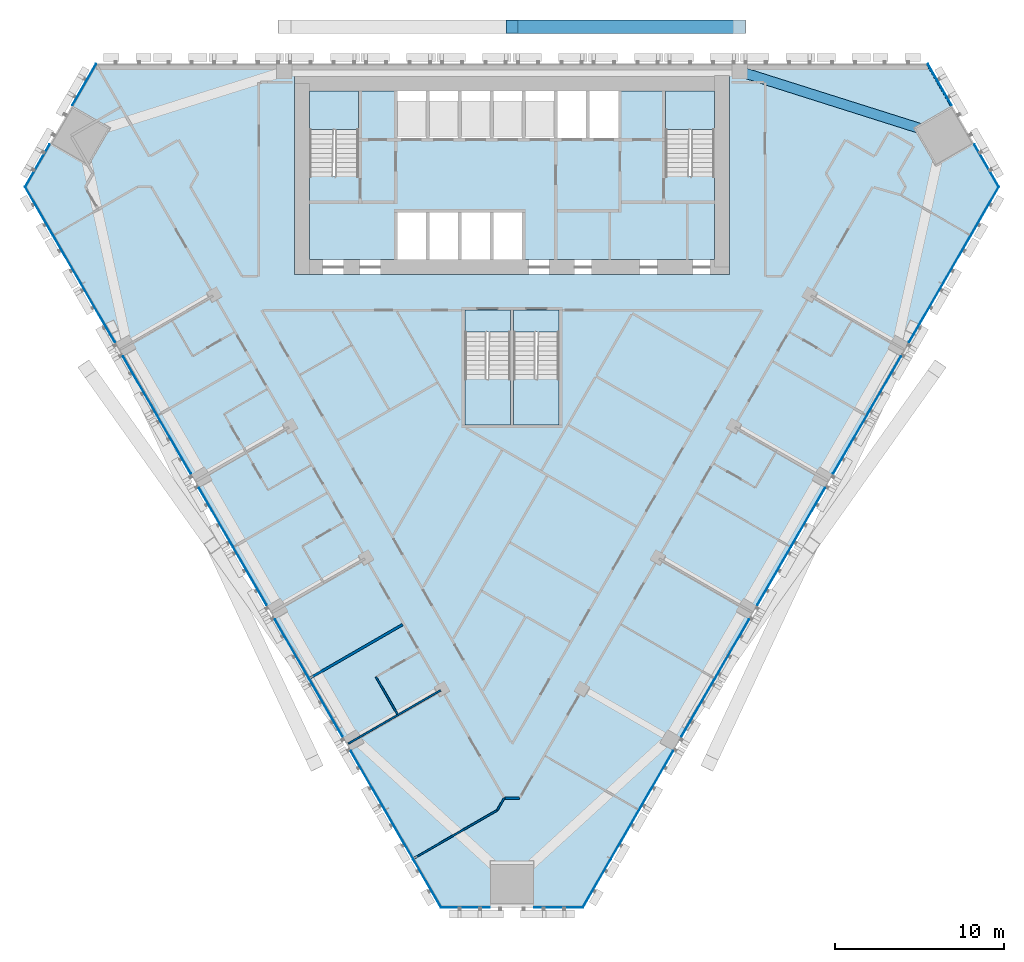
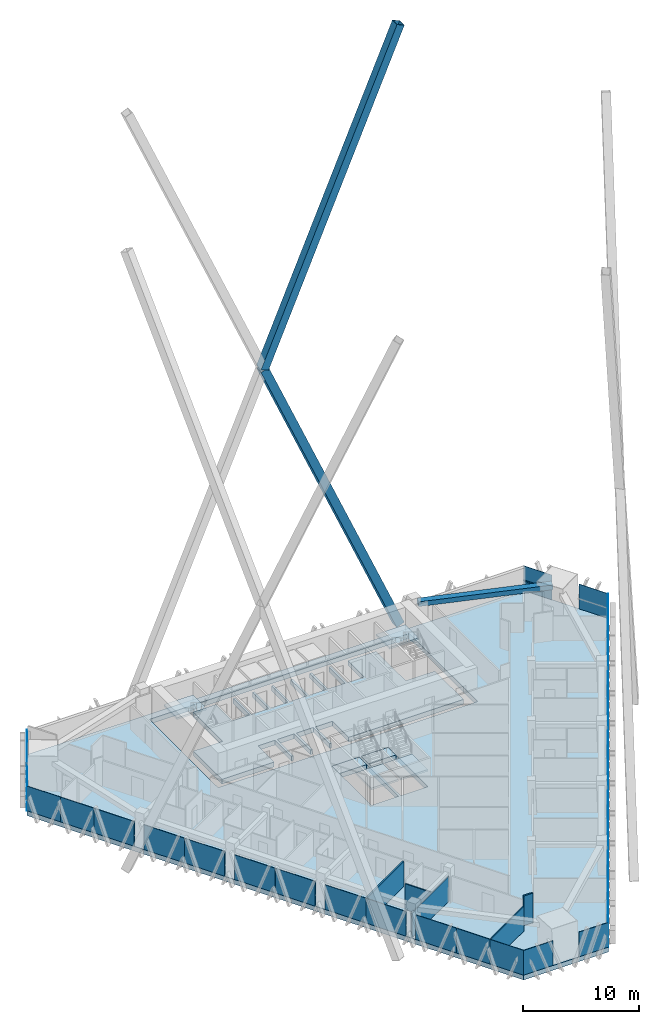
# One storey, part 15 of 23: 30 plates, 8 slabs, 6 walls, 3 members, 1 beam, 9 elements without a shape of their own.
"""IFC4 building model written with IfcOpenShell, lengths in metres."""

from ifc_helpers import new_model, si_unit, direction, frame, frame_2d, origin, origin_2d, place, context, subcontext, project, spatial, polyline, rectangle, hollow_rectangle, outline, extrude, material, layer, layer_set, material_profile, profile_set, type_object, element, aggregate, save


model = new_model("IFC4")

# Units and contexts
model_context = context("Model", 3, precision=1e-05, world=origin(), true_north=direction((0.0, 1.0)))
body_context = subcontext(model_context, "Body", "Model", "MODEL_VIEW")
ifc_project = project(units=[si_unit("LENGTHUNIT", "METRE"), si_unit("AREAUNIT", "SQUARE_METRE"), si_unit("VOLUMEUNIT", "CUBIC_METRE"), si_unit("PLANEANGLEUNIT", "RADIAN"), si_unit("MASSUNIT", "GRAM", prefix="KILO")], contexts=[model_context])

# Site, building, storey
site_placement = place(None, origin())
site = spatial("IfcSite", under=ifc_project, at=site_placement, CompositionType="ELEMENT")
building_placement = place(site_placement, origin())
building = spatial("IfcBuilding", under=site, at=building_placement, Name="Altiplano Prism Tower", CompositionType="ELEMENT")
storey_placement = place(building_placement, frame((0.0, 0.0, 100.800048828125)))
storey = spatial("IfcBuildingStorey", under=building, at=storey_placement, Name="L25", CompositionType="ELEMENT", Elevation=100.800048828125)

# Curtain wall, member
ifc_material_1 = material(Name="Aluminium and glass", Category="aluminium")
ifc_layer_1 = layer(ifc_material_1, 0.280029296875)
ifc_layer_set_1 = layer_set([ifc_layer_1], Name="Aluminium and glass")
curtain_wall_type = type_object("IfcCurtainWallType", Name="CW1 typical co-living unitised curtain wall", PredefinedType="NOTDEFINED", material=ifc_layer_set_1)
curtain_wall_1_placement = place(storey_placement, origin())
curtain_wall_1 = element("IfcCurtainWall", 1, at=curtain_wall_1_placement, inside=storey, type_object=curtain_wall_type, Name="CW1 curtain wall north-east chamfer L25", PredefinedType="NOTDEFINED")
ifc_material_2 = material(Name="Aluminium", Category="aluminium")
ifc_material_profile_1 = material_profile(ifc_material_2, rectangle(XDim=0.06005859375, YDim=0.080078125, at=origin_2d()), Name="CW1 transom 80 x 60")
ifc_profile_set_1 = profile_set([ifc_material_profile_1], Name="Aluminium")
member_type_1 = type_object("IfcMemberType", Name="CW1 transom 80 x 60", PredefinedType="USERDEFINED", material=ifc_profile_set_1)
member_1_placement = place(storey_placement, frame((111.0263671875, 102.51318359375, 1.099853515625), z_axis=(-0.499978737809, 0.866037679168, 0.0), x_axis=(-0.866037679168, -0.499978737809, 0.0)))
member_1 = element("IfcMember", 2, at=member_1_placement, type_object=member_type_1, Name="CW1 transom", ObjectType="TRANSOM", PredefinedType="USERDEFINED", context=body_context, shape_type="SweptSolid", body=[
    extrude(rectangle(XDim=0.06005859375, YDim=0.080078125, at=origin_2d()), origin(), (0.0, 0.0, 1.0), 2.8310546875),
])

# Beam
ifc_material_3 = material(Name="Concrete C60/75", Category="concrete")
ifc_material_profile_2 = material_profile(ifc_material_3, rectangle(XDim=0.60009765625, YDim=0.5, at=origin_2d()), Name="Edge beam 600x500")
ifc_profile_set_2 = profile_set([ifc_material_profile_2], Name="Concrete C60/75")
beam_type = type_object("IfcBeamType", Name="Edge beam 600x500", PredefinedType="SPANDREL", material=ifc_profile_set_2)
beam_placement = place(storey_placement, frame((110.119873046875, 100.872314453125, 2.849853515625), z_axis=(-0.953385750598, 0.301754222101, 0.0), x_axis=(-0.301754222101, -0.953385750598, 0.0)))
element("IfcBeam", 3, at=beam_placement, inside=storey, type_object=beam_type, Name="Edge beam M2-P01 L26", PredefinedType="SPANDREL", context=body_context, shape_type="SweptSolid", body=[
    extrude(rectangle(XDim=0.60009765625, YDim=0.5, at=origin_2d()), origin(), (0.0, 0.0, 1.0), 11.8359375),
])

# Members
ifc_material_4 = material(Name="Steel S355", Category="steel")
ifc_material_profile_3 = material_profile(ifc_material_4, hollow_rectangle(XDim=0.800048828125, YDim=0.800048828125, WallThickness=0.0400390625, at=origin_2d()), Name="Mega brace Box 800x800x40")
ifc_profile_set_3 = profile_set([ifc_material_profile_3], Name="Steel S355")
member_type_2 = type_object("IfcMemberType", Name="Mega brace Box 800x800x40", PredefinedType="BRACE", material=ifc_profile_set_3)
member_2_placement = place(storey_placement, frame((98.484375, 107.199951171875, -0.813232421875), z_axis=(-0.393657782631, 0.0, 0.91925706425), x_axis=(0.0, -1.0, 0.0)))
element("IfcMember", 4, at=member_2_placement, inside=storey, type_object=member_type_2, Name="Mega brace 3.0.1", PredefinedType="BRACE", context=body_context, shape_type="SweptSolid", body=[
    extrude(hollow_rectangle(XDim=0.800048828125, YDim=0.800048828125, WallThickness=0.0400390625, at=origin_2d()), origin(), (0.0, 0.0, 1.0), 34.254150390625),
])
member_3_placement = place(storey_placement, frame((85.0, 107.199951171875, 30.675048828125), z_axis=(0.393656367662, 0.0, 0.919257670188), x_axis=(0.0, 1.0, 0.0)))
element("IfcMember", 5, at=member_3_placement, inside=storey, type_object=member_type_2, Name="Mega brace 3.0.4", PredefinedType="BRACE", context=body_context, shape_type="SweptSolid", body=[
    extrude(hollow_rectangle(XDim=0.800048828125, YDim=0.800048828125, WallThickness=0.0400390625, at=origin_2d()), origin(), (0.0, 0.0, 1.0), 34.2939453125),
])

# Curtain wall, plates
curtain_wall_2_placement = place(storey_placement, origin())
curtain_wall_2 = element("IfcCurtainWall", 6, at=curtain_wall_2_placement, inside=storey, type_object=curtain_wall_type, Name="CW1 curtain wall north-west chamfer L25", PredefinedType="NOTDEFINED")
ifc_material_5 = material(Name="Clear glass", Category="glass")
ifc_layer_2 = layer(ifc_material_5, 0.0400390625)
ifc_layer_set_2 = layer_set([ifc_layer_2], Name="Clear glass")
plate_type = type_object("IfcPlateType", Name="CW1 insulated glass unit 40", PredefinedType="CURTAIN_PANEL", material=ifc_layer_set_2)
plate_1_placement = place(storey_placement, frame((59.63818359375, 103.76416015625, 0.0), z_axis=(0.0, 0.0, 1.0), x_axis=(-0.50000003484, -0.86602538367, 0.0)))
plate_1 = element("IfcPlate", 7, at=plate_1_placement, type_object=plate_type, Name="CW1 panel", PredefinedType="CURTAIN_PANEL", context=body_context, shape_type="SweptSolid", body=[
    extrude(rectangle(XDim=2.821044921875, YDim=0.0400390625, at=origin_2d()), origin(), (0.0, 0.0, 1.0), 2.60009765625),
])
plate_2_placement = place(storey_placement, frame((56.862548828125, 98.956787109375, 0.0), z_axis=(0.0, 0.0, 1.0), x_axis=(-0.50000003484, -0.86602538367, 0.0)))
plate_2 = element("IfcPlate", 8, at=plate_2_placement, type_object=plate_type, Name="CW1 panel", PredefinedType="CURTAIN_PANEL", context=body_context, shape_type="SweptSolid", body=[
    extrude(rectangle(XDim=2.901123046875, YDim=0.0400390625, at=origin_2d()), origin(), (0.0, 0.0, 1.0), 2.60009765625),
])
aggregate(curtain_wall_2, [plate_1, plate_2])

curtain_wall_3_placement = place(storey_placement, origin())
curtain_wall_3 = element("IfcCurtainWall", 9, at=curtain_wall_3_placement, inside=storey, type_object=curtain_wall_type, Name="CW1 curtain wall south-west face L25", PredefinedType="NOTDEFINED")
plate_3_placement = place(storey_placement, frame((56.96875, 96.271728515625, 0.0), z_axis=(0.0, 0.0, 1.0), x_axis=(0.500000001663, -0.866025402825, 0.0)))
plate_3 = element("IfcPlate", 10, at=plate_3_placement, type_object=plate_type, Name="CW1 panel", PredefinedType="CURTAIN_PANEL", context=body_context, shape_type="SweptSolid", body=[
    extrude(rectangle(XDim=3.32568359375, YDim=0.0400390625, at=origin_2d()), origin(), (0.0, 0.0, 1.0), 2.60009765625),
])
plate_4_placement = place(storey_placement, frame((58.63671875, 93.383056640625, 0.0), z_axis=(0.0, 0.0, 1.0), x_axis=(0.500000001663, -0.866025402825, 0.0)))
plate_4 = element("IfcPlate", 11, at=plate_4_placement, type_object=plate_type, Name="CW1 panel", PredefinedType="CURTAIN_PANEL", context=body_context, shape_type="SweptSolid", body=[
    extrude(rectangle(XDim=3.32568359375, YDim=0.0400390625, at=origin_2d()), origin(), (0.0, 0.0, 1.0), 2.60009765625),
])
plate_5_placement = place(storey_placement, frame((60.463134765625, 90.219482421875, 0.0), z_axis=(0.0, 0.0, 1.0), x_axis=(0.500000001663, -0.866025402825, 0.0)))
plate_5 = element("IfcPlate", 12, at=plate_5_placement, type_object=plate_type, Name="CW1 panel", PredefinedType="CURTAIN_PANEL", context=body_context, shape_type="SweptSolid", body=[
    extrude(rectangle(XDim=3.96044921875, YDim=0.0400390625, at=origin_2d()), origin(), (0.0, 0.0, 1.0), 2.60009765625),
])
plate_6_placement = place(storey_placement, frame((62.9580078125, 85.898193359375, 0.0), z_axis=(0.0, 0.0, 1.0), x_axis=(0.500000001663, -0.866025402825, 0.0)))
plate_6 = element("IfcPlate", 13, at=plate_6_placement, type_object=plate_type, Name="CW1 panel", PredefinedType="CURTAIN_PANEL", context=body_context, shape_type="SweptSolid", body=[
    extrude(rectangle(XDim=4.0400390625, YDim=0.0400390625, at=origin_2d()), origin(), (0.0, 0.0, 1.0), 2.60009765625),
])
plate_7_placement = place(storey_placement, frame((64.963134765625, 82.425048828125, 0.0), z_axis=(0.0, 0.0, 1.0), x_axis=(0.500000001663, -0.866025402825, 0.0)))
plate_7 = element("IfcPlate", 14, at=plate_7_placement, type_object=plate_type, Name="CW1 panel", PredefinedType="CURTAIN_PANEL", context=body_context, shape_type="SweptSolid", body=[
    extrude(rectangle(XDim=3.96044921875, YDim=0.0400390625, at=origin_2d()), origin(), (0.0, 0.0, 1.0), 2.60009765625),
])
plate_8_placement = place(storey_placement, frame((67.4580078125, 78.103759765625, 0.0), z_axis=(0.0, 0.0, 1.0), x_axis=(0.500000001663, -0.866025402825, 0.0)))
plate_8 = element("IfcPlate", 15, at=plate_8_placement, type_object=plate_type, Name="CW1 panel", PredefinedType="CURTAIN_PANEL", context=body_context, shape_type="SweptSolid", body=[
    extrude(rectangle(XDim=4.0400390625, YDim=0.0400390625, at=origin_2d()), origin(), (0.0, 0.0, 1.0), 2.60009765625),
])
plate_9_placement = place(storey_placement, frame((69.463134765625, 74.630859375, 0.0), z_axis=(0.0, 0.0, 1.0), x_axis=(0.500000001663, -0.866025402825, 0.0)))
plate_9 = element("IfcPlate", 16, at=plate_9_placement, type_object=plate_type, Name="CW1 panel", PredefinedType="CURTAIN_PANEL", context=body_context, shape_type="SweptSolid", body=[
    extrude(rectangle(XDim=3.96044921875, YDim=0.0400390625, at=origin_2d()), origin(), (0.0, 0.0, 1.0), 2.60009765625),
])
plate_10_placement = place(storey_placement, frame((71.9580078125, 70.3095703125, 0.0), z_axis=(0.0, 0.0, 1.0), x_axis=(0.500000001663, -0.866025402825, 0.0)))
plate_10 = element("IfcPlate", 17, at=plate_10_placement, type_object=plate_type, Name="CW1 panel", PredefinedType="CURTAIN_PANEL", context=body_context, shape_type="SweptSolid", body=[
    extrude(rectangle(XDim=4.0400390625, YDim=0.0400390625, at=origin_2d()), origin(), (0.0, 0.0, 1.0), 2.60009765625),
])
plate_11_placement = place(storey_placement, frame((73.963134765625, 66.836669921875, 0.0), z_axis=(0.0, 0.0, 1.0), x_axis=(0.500000001663, -0.866025402825, 0.0)))
plate_11 = element("IfcPlate", 18, at=plate_11_placement, type_object=plate_type, Name="CW1 panel", PredefinedType="CURTAIN_PANEL", context=body_context, shape_type="SweptSolid", body=[
    extrude(rectangle(XDim=3.96044921875, YDim=0.0400390625, at=origin_2d()), origin(), (0.0, 0.0, 1.0), 2.60009765625),
])
plate_12_placement = place(storey_placement, frame((76.4580078125, 62.515380859375, 0.0), z_axis=(0.0, 0.0, 1.0), x_axis=(0.500000001663, -0.866025402825, 0.0)))
plate_12 = element("IfcPlate", 19, at=plate_12_placement, type_object=plate_type, Name="CW1 panel", PredefinedType="CURTAIN_PANEL", context=body_context, shape_type="SweptSolid", body=[
    extrude(rectangle(XDim=4.0400390625, YDim=0.0400390625, at=origin_2d()), origin(), (0.0, 0.0, 1.0), 2.60009765625),
])
plate_13_placement = place(storey_placement, frame((78.304443359375, 59.3173828125, 0.0), z_axis=(0.0, 0.0, 1.0), x_axis=(0.500000001663, -0.866025402825, 0.0)))
plate_13 = element("IfcPlate", 20, at=plate_13_placement, type_object=plate_type, Name="CW1 panel", PredefinedType="CURTAIN_PANEL", context=body_context, shape_type="SweptSolid", body=[
    extrude(rectangle(XDim=3.32568359375, YDim=0.0400390625, at=origin_2d()), origin(), (0.0, 0.0, 1.0), 2.60009765625),
])
plate_14_placement = place(storey_placement, frame((79.972412109375, 56.428466796875, 0.0), z_axis=(0.0, 0.0, 1.0), x_axis=(0.500000001663, -0.866025402825, 0.0)))
plate_14 = element("IfcPlate", 21, at=plate_14_placement, type_object=plate_type, Name="CW1 panel", PredefinedType="CURTAIN_PANEL", context=body_context, shape_type="SweptSolid", body=[
    extrude(rectangle(XDim=3.32568359375, YDim=0.0400390625, at=origin_2d()), origin(), (0.0, 0.0, 1.0), 2.60009765625),
])
aggregate(curtain_wall_3, [plate_3, plate_4, plate_5, plate_6, plate_7, plate_8, plate_9, plate_10, plate_11, plate_12, plate_13, plate_14])

curtain_wall_4_placement = place(storey_placement, origin())
curtain_wall_4 = element("IfcCurtainWall", 22, at=curtain_wall_4_placement, inside=storey, type_object=curtain_wall_type, Name="CW1 curtain wall south chamfer L25", PredefinedType="NOTDEFINED")
plate_15_placement = place(storey_placement, frame((82.244384765625, 54.994140625, 0.0), z_axis=(0.0, 0.0, 1.0), x_axis=(1.0, 0.0, 0.0)))
plate_15 = element("IfcPlate", 23, at=plate_15_placement, type_object=plate_type, Name="CW1 panel", PredefinedType="CURTAIN_PANEL", context=body_context, shape_type="SweptSolid", body=[
    extrude(rectangle(XDim=2.901123046875, YDim=0.0400390625, at=origin_2d()), origin(), (0.0, 0.0, 1.0), 2.60009765625),
])
plate_16_placement = place(storey_placement, frame((87.755615234375, 54.994140625, 0.0), z_axis=(0.0, 0.0, 1.0), x_axis=(1.0, 0.0, 0.0)))
plate_16 = element("IfcPlate", 24, at=plate_16_placement, type_object=plate_type, Name="CW1 panel", PredefinedType="CURTAIN_PANEL", context=body_context, shape_type="SweptSolid", body=[
    extrude(rectangle(XDim=2.901123046875, YDim=0.0400390625, at=origin_2d()), origin(), (0.0, 0.0, 1.0), 2.60009765625),
])
aggregate(curtain_wall_4, [plate_15, plate_16])

curtain_wall_5_placement = place(storey_placement, origin())
curtain_wall_5 = element("IfcCurtainWall", 25, at=curtain_wall_5_placement, inside=storey, type_object=curtain_wall_type, Name="CW1 curtain wall south-east face L25", PredefinedType="NOTDEFINED")
plate_17_placement = place(storey_placement, frame((90.027587890625, 56.428466796875, 0.0), z_axis=(0.0, 0.0, 1.0), x_axis=(0.500000001663, 0.866025402825, 0.0)))
plate_17 = element("IfcPlate", 26, at=plate_17_placement, type_object=plate_type, Name="CW1 panel", PredefinedType="CURTAIN_PANEL", context=body_context, shape_type="SweptSolid", body=[
    extrude(rectangle(XDim=3.32568359375, YDim=0.0400390625, at=origin_2d()), origin(), (0.0, 0.0, 1.0), 2.60009765625),
])
plate_18_placement = place(storey_placement, frame((91.695556640625, 59.3173828125, 0.0), z_axis=(0.0, 0.0, 1.0), x_axis=(0.500000001663, 0.866025402825, 0.0)))
plate_18 = element("IfcPlate", 27, at=plate_18_placement, type_object=plate_type, Name="CW1 panel", PredefinedType="CURTAIN_PANEL", context=body_context, shape_type="SweptSolid", body=[
    extrude(rectangle(XDim=3.32568359375, YDim=0.0400390625, at=origin_2d()), origin(), (0.0, 0.0, 1.0), 2.60009765625),
])
plate_19_placement = place(storey_placement, frame((93.5419921875, 62.515380859375, 0.0), z_axis=(0.0, 0.0, 1.0), x_axis=(0.500000001663, 0.866025402825, 0.0)))
plate_19 = element("IfcPlate", 28, at=plate_19_placement, type_object=plate_type, Name="CW1 panel", PredefinedType="CURTAIN_PANEL", context=body_context, shape_type="SweptSolid", body=[
    extrude(rectangle(XDim=4.0400390625, YDim=0.0400390625, at=origin_2d()), origin(), (0.0, 0.0, 1.0), 2.60009765625),
])
plate_20_placement = place(storey_placement, frame((96.036865234375, 66.836669921875, 0.0), z_axis=(0.0, 0.0, 1.0), x_axis=(0.500000001663, 0.866025402825, 0.0)))
plate_20 = element("IfcPlate", 29, at=plate_20_placement, type_object=plate_type, Name="CW1 panel", PredefinedType="CURTAIN_PANEL", context=body_context, shape_type="SweptSolid", body=[
    extrude(rectangle(XDim=3.96044921875, YDim=0.0400390625, at=origin_2d()), origin(), (0.0, 0.0, 1.0), 2.60009765625),
])
plate_21_placement = place(storey_placement, frame((98.0419921875, 70.3095703125, 0.0), z_axis=(0.0, 0.0, 1.0), x_axis=(0.500000001663, 0.866025402825, 0.0)))
plate_21 = element("IfcPlate", 30, at=plate_21_placement, type_object=plate_type, Name="CW1 panel", PredefinedType="CURTAIN_PANEL", context=body_context, shape_type="SweptSolid", body=[
    extrude(rectangle(XDim=4.0400390625, YDim=0.0400390625, at=origin_2d()), origin(), (0.0, 0.0, 1.0), 2.60009765625),
])
plate_22_placement = place(storey_placement, frame((100.536865234375, 74.630859375, 0.0), z_axis=(0.0, 0.0, 1.0), x_axis=(0.500000001663, 0.866025402825, 0.0)))
plate_22 = element("IfcPlate", 31, at=plate_22_placement, type_object=plate_type, Name="CW1 panel", PredefinedType="CURTAIN_PANEL", context=body_context, shape_type="SweptSolid", body=[
    extrude(rectangle(XDim=3.96044921875, YDim=0.0400390625, at=origin_2d()), origin(), (0.0, 0.0, 1.0), 2.60009765625),
])
plate_23_placement = place(storey_placement, frame((102.5419921875, 78.103759765625, 0.0), z_axis=(0.0, 0.0, 1.0), x_axis=(0.500000001663, 0.866025402825, 0.0)))
plate_23 = element("IfcPlate", 32, at=plate_23_placement, type_object=plate_type, Name="CW1 panel", PredefinedType="CURTAIN_PANEL", context=body_context, shape_type="SweptSolid", body=[
    extrude(rectangle(XDim=4.0400390625, YDim=0.0400390625, at=origin_2d()), origin(), (0.0, 0.0, 1.0), 2.60009765625),
])
plate_24_placement = place(storey_placement, frame((105.036865234375, 82.425048828125, 0.0), z_axis=(0.0, 0.0, 1.0), x_axis=(0.500000001663, 0.866025402825, 0.0)))
plate_24 = element("IfcPlate", 33, at=plate_24_placement, type_object=plate_type, Name="CW1 panel", PredefinedType="CURTAIN_PANEL", context=body_context, shape_type="SweptSolid", body=[
    extrude(rectangle(XDim=3.96044921875, YDim=0.0400390625, at=origin_2d()), origin(), (0.0, 0.0, 1.0), 2.60009765625),
])
plate_25_placement = place(storey_placement, frame((107.0419921875, 85.898193359375, 0.0), z_axis=(0.0, 0.0, 1.0), x_axis=(0.500000001663, 0.866025402825, 0.0)))
plate_25 = element("IfcPlate", 34, at=plate_25_placement, type_object=plate_type, Name="CW1 panel", PredefinedType="CURTAIN_PANEL", context=body_context, shape_type="SweptSolid", body=[
    extrude(rectangle(XDim=4.0400390625, YDim=0.0400390625, at=origin_2d()), origin(), (0.0, 0.0, 1.0), 2.60009765625),
])
plate_26_placement = place(storey_placement, frame((109.536865234375, 90.219482421875, 0.0), z_axis=(0.0, 0.0, 1.0), x_axis=(0.500000001663, 0.866025402825, 0.0)))
plate_26 = element("IfcPlate", 35, at=plate_26_placement, type_object=plate_type, Name="CW1 panel", PredefinedType="CURTAIN_PANEL", context=body_context, shape_type="SweptSolid", body=[
    extrude(rectangle(XDim=3.96044921875, YDim=0.0400390625, at=origin_2d()), origin(), (0.0, 0.0, 1.0), 2.60009765625),
])
plate_27_placement = place(storey_placement, frame((111.36328125, 93.383056640625, 0.0), z_axis=(0.0, 0.0, 1.0), x_axis=(0.500000001663, 0.866025402825, 0.0)))
plate_27 = element("IfcPlate", 36, at=plate_27_placement, type_object=plate_type, Name="CW1 panel", PredefinedType="CURTAIN_PANEL", context=body_context, shape_type="SweptSolid", body=[
    extrude(rectangle(XDim=3.32568359375, YDim=0.0400390625, at=origin_2d()), origin(), (0.0, 0.0, 1.0), 2.60009765625),
])
plate_28_placement = place(storey_placement, frame((113.03125, 96.271728515625, 0.0), z_axis=(0.0, 0.0, 1.0), x_axis=(0.500000001663, 0.866025402825, 0.0)))
plate_28 = element("IfcPlate", 37, at=plate_28_placement, type_object=plate_type, Name="CW1 panel", PredefinedType="CURTAIN_PANEL", context=body_context, shape_type="SweptSolid", body=[
    extrude(rectangle(XDim=3.32568359375, YDim=0.0400390625, at=origin_2d()), origin(), (0.0, 0.0, 1.0), 2.60009765625),
])
aggregate(curtain_wall_5, [plate_17, plate_18, plate_19, plate_20, plate_21, plate_22, plate_23, plate_24, plate_25, plate_26, plate_27, plate_28])

# Plate
plate_29_placement = place(storey_placement, frame((113.137451171875, 98.956787109375, 0.0), z_axis=(0.0, 0.0, 1.0), x_axis=(-0.50000003484, 0.86602538367, 0.0)))
plate_29 = element("IfcPlate", 38, at=plate_29_placement, type_object=plate_type, Name="CW1 panel", PredefinedType="CURTAIN_PANEL", context=body_context, shape_type="SweptSolid", body=[
    extrude(rectangle(XDim=2.901123046875, YDim=0.0400390625, at=origin_2d()), origin(), (0.0, 0.0, 1.0), 2.60009765625),
])

plate_30_placement = place(storey_placement, frame((110.36181640625, 103.76416015625, 0.0), z_axis=(0.0, 0.0, 1.0), x_axis=(-0.50000003484, 0.86602538367, 0.0)))
plate_30 = element("IfcPlate", 39, at=plate_30_placement, type_object=plate_type, Name="CW1 panel", PredefinedType="CURTAIN_PANEL", context=body_context, shape_type="SweptSolid", body=[
    extrude(rectangle(XDim=2.821044921875, YDim=0.0400390625, at=origin_2d()), origin(), (0.0, 0.0, 1.0), 2.60009765625),
])

aggregate(curtain_wall_1, [plate_29, member_1, plate_30])

# Slabs
ifc_material_6 = material(Name="Concrete C40/50", Category="concrete")
ifc_layer_3 = layer(ifc_material_6, 0.5)
ifc_layer_set_3 = layer_set([ifc_layer_3], Name="Concrete C40/50")
slab_type_1 = type_object("IfcSlabType", Name="Core floor slab 500", PredefinedType="FLOOR", material=ifc_layer_set_3)
slab_1_placement = place(storey_placement, frame((0.0, 0.0, -0.5)))
element("IfcSlab", 40, at=slab_1_placement, inside=storey, type_object=slab_type_1, Name="Core floor slab L25", PredefinedType="FLOOR", context=body_context, shape_type="SweptSolid", body=[
    extrude(outline(polyline([(97.0, 98.31005859375), (94.10009765625, 98.31005859375), (94.10009765625, 103.39990234375), (91.300048828125, 103.39990234375), (91.300048828125, 100.60009765625), (89.60009765625, 100.60009765625), (89.60009765625, 103.39990234375), (89.39990234375, 103.39990234375), (89.39990234375, 100.60009765625), (87.699951171875, 100.60009765625), (87.699951171875, 103.39990234375), (87.5, 103.39990234375), (87.5, 100.60009765625), (85.800048828125, 100.60009765625), (85.800048828125, 103.39990234375), (85.60009765625, 103.39990234375), (85.60009765625, 100.60009765625), (83.89990234375, 100.60009765625), (83.89990234375, 103.39990234375), (83.699951171875, 103.39990234375), (83.699951171875, 100.60009765625), (82.0, 100.60009765625), (82.0, 103.39990234375), (81.800048828125, 103.39990234375), (81.800048828125, 100.60009765625), (80.10009765625, 100.60009765625), (80.10009765625, 103.39990234375), (79.89990234375, 103.39990234375), (79.89990234375, 100.60009765625), (78.199951171875, 100.60009765625), (78.199951171875, 103.39990234375), (75.89990234375, 103.39990234375), (75.89990234375, 98.31005859375), (73.0, 98.31005859375), (73.0, 93.39990234375), (78.199951171875, 93.39990234375), (78.199951171875, 96.199951171875), (79.89990234375, 96.199951171875), (79.89990234375, 93.39990234375), (80.10009765625, 93.39990234375), (80.10009765625, 96.199951171875), (81.800048828125, 96.199951171875), (81.800048828125, 93.39990234375), (82.0, 93.39990234375), (82.0, 96.199951171875), (83.699951171875, 96.199951171875), (83.699951171875, 93.39990234375), (83.89990234375, 93.39990234375), (83.89990234375, 96.199951171875), (85.60009765625, 96.199951171875), (85.60009765625, 93.39990234375), (97.0, 93.39990234375), (97.0, 98.31005859375)])), origin(), (0.0, 0.0, 1.0), 0.5),
])
slab_2_placement = place(storey_placement, frame((0.0, 0.0, -0.5)))
element("IfcSlab", 41, at=slab_2_placement, inside=storey, type_object=slab_type_1, Name="Stair 3A landing slab L25", PredefinedType="FLOOR", context=body_context, shape_type="SweptSolid", body=[
    extrude(outline(polyline([(82.199951171875, 89.096923828125), (84.89990234375, 89.096923828125), (84.89990234375, 90.39990234375), (82.199951171875, 90.39990234375), (82.199951171875, 89.096923828125)])), origin(), (0.0, 0.0, 1.0), 0.5),
])
slab_3_placement = place(storey_placement, frame((0.0, 0.0, -0.5)))
element("IfcSlab", 42, at=slab_3_placement, inside=storey, type_object=slab_type_1, Name="Stair 3B landing slab L25", PredefinedType="FLOOR", context=body_context, shape_type="SweptSolid", body=[
    extrude(outline(polyline([(85.10009765625, 89.096923828125), (87.800048828125, 89.096923828125), (87.800048828125, 90.39990234375), (85.10009765625, 90.39990234375), (85.10009765625, 89.096923828125)])), origin(), (0.0, 0.0, 1.0), 0.5),
])
ifc_layer_4 = layer(ifc_material_6, 0.5)
ifc_layer_set_4 = layer_set([ifc_layer_4], Name="Concrete C40/50")
slab_type_2 = type_object("IfcSlabType", Name="Post-tensioned flat slab 500", PredefinedType="FLOOR", material=ifc_layer_set_4)
slab_4_placement = place(storey_placement, frame((0.0, 0.0, -0.5)))
element("IfcSlab", 43, at=slab_4_placement, inside=storey, type_object=slab_type_2, Name="Floor slab L25", PredefinedType="FLOOR", context=body_context, shape_type="SweptSolid", body=[
    extrude(outline(polyline([(80.7890625, 54.97412109375), (56.11767578125, 97.706298828125), (60.32861328125, 105.0), (109.67138671875, 105.0), (113.88232421875, 97.706298828125), (89.2109375, 54.97412109375), (80.7890625, 54.97412109375)]), holes=[polyline([(72.10009765625, 104.300048828125), (72.10009765625, 92.5), (97.89990234375, 92.5), (97.89990234375, 104.300048828125), (72.10009765625, 104.300048828125)]), polyline([(84.89990234375, 90.39990234375), (82.199951171875, 90.39990234375), (82.199951171875, 83.60009765625), (84.89990234375, 83.60009765625), (84.89990234375, 90.39990234375)]), polyline([(87.800048828125, 83.60009765625), (87.800048828125, 90.39990234375), (85.10009765625, 90.39990234375), (85.10009765625, 83.60009765625), (87.800048828125, 83.60009765625)])]), origin(), (0.0, 0.0, 1.0), 0.5),
])

# Stair, slab
stair_type_1 = type_object("IfcStairType", Name="Exit stair 1400", PredefinedType="HALF_TURN_STAIR", material=ifc_material_6)
stair_1_placement = place(storey_placement, origin())
stair_1 = element("IfcStair", 44, at=stair_1_placement, inside=storey, type_object=stair_type_1, Name="L25 Exit Stair 1", PredefinedType="HALF_TURN_STAIR")
ifc_layer_5 = layer(ifc_material_6, 0.199951171875)
ifc_layer_set_5 = layer_set([ifc_layer_5], Name="Concrete C40/50")
slab_type_3 = type_object("IfcSlabType", Name="Stair landing 200", PredefinedType="LANDING", material=ifc_layer_set_5)
slab_5_placement = place(storey_placement, frame((0.0, 0.0, 1.599853515625)))
slab_5 = element("IfcSlab", 45, at=slab_5_placement, type_object=slab_type_3, Name="ST1 landing 1", PredefinedType="LANDING", context=body_context, shape_type="SweptSolid", body=[
    extrude(outline(polyline([(75.89990234375, 101.096923828125), (75.89990234375, 103.39990234375), (73.0, 103.39990234375), (73.0, 101.096923828125), (75.89990234375, 101.096923828125)])), origin(), (0.0, 0.0, 1.0), 0.2001953125),
])
aggregate(stair_1, [slab_5])

stair_2_placement = place(storey_placement, origin())
stair_2 = element("IfcStair", 46, at=stair_2_placement, inside=storey, type_object=stair_type_1, Name="L25 Exit Stair 2", PredefinedType="HALF_TURN_STAIR")
slab_6_placement = place(storey_placement, frame((0.0, 0.0, 1.599853515625)))
slab_6 = element("IfcSlab", 47, at=slab_6_placement, type_object=slab_type_3, Name="ST2 landing 1", PredefinedType="LANDING", context=body_context, shape_type="SweptSolid", body=[
    extrude(outline(polyline([(97.0, 101.096923828125), (97.0, 103.39990234375), (94.10009765625, 103.39990234375), (94.10009765625, 101.096923828125), (97.0, 101.096923828125)])), origin(), (0.0, 0.0, 1.0), 0.2001953125),
])
aggregate(stair_2, [slab_6])

stair_type_2 = type_object("IfcStairType", Name="Exit stair 1300", PredefinedType="HALF_TURN_STAIR", material=ifc_material_6)
stair_3_placement = place(storey_placement, origin())
stair_3 = element("IfcStair", 48, at=stair_3_placement, inside=storey, type_object=stair_type_2, Name="L25 Exit Stair 3A", PredefinedType="HALF_TURN_STAIR")
slab_7_placement = place(storey_placement, frame((0.0, 0.0, 1.599853515625)))
slab_7 = element("IfcSlab", 49, at=slab_7_placement, type_object=slab_type_3, Name="ST3A landing 1", PredefinedType="LANDING", context=body_context, shape_type="SweptSolid", body=[
    extrude(outline(polyline([(82.199951171875, 86.302978515625), (82.199951171875, 83.60009765625), (84.89990234375, 83.60009765625), (84.89990234375, 86.302978515625), (82.199951171875, 86.302978515625)])), origin(), (0.0, 0.0, 1.0), 0.2001953125),
])
aggregate(stair_3, [slab_7])

stair_4_placement = place(storey_placement, origin())
stair_4 = element("IfcStair", 50, at=stair_4_placement, inside=storey, type_object=stair_type_2, Name="L25 Exit Stair 3B", PredefinedType="HALF_TURN_STAIR")
slab_8_placement = place(storey_placement, frame((0.0, 0.0, 1.599853515625)))
slab_8 = element("IfcSlab", 51, at=slab_8_placement, type_object=slab_type_3, Name="ST3B landing 1", PredefinedType="LANDING", context=body_context, shape_type="SweptSolid", body=[
    extrude(outline(polyline([(85.10009765625, 86.302978515625), (85.10009765625, 83.60009765625), (87.800048828125, 83.60009765625), (87.800048828125, 86.302978515625), (85.10009765625, 86.302978515625)])), origin(), (0.0, 0.0, 1.0), 0.2001953125),
])
aggregate(stair_4, [slab_8])

# Walls
ifc_material_7 = material(Name="Plasterboard on steel stud", Category="steel")
ifc_layer_6 = layer(ifc_material_7, 0.10009765625)
ifc_layer_set_6 = layer_set([ifc_layer_6], Name="Plasterboard on steel stud")
wall_type_1 = type_object("IfcWallType", Name="Partition 100 unit", PredefinedType="PARTITIONING", material=ifc_layer_set_6)
wall_1_placement = place(storey_placement, frame((78.209228515625, 66.442138671875, 0.0), z_axis=(0.0, 0.0, 1.0), x_axis=(-0.499948979701, 0.866054858364, 0.0)))
element("IfcWall", 52, at=wall_1_placement, inside=storey, type_object=wall_type_1, Name="Partition P02 L25 062", PredefinedType="PARTITIONING", context=body_context, shape_type="SweptSolid", body=[
    extrude(rectangle(XDim=2.550048828125, YDim=0.10009765625, at=frame_2d((1.27490234375, 0.0))), origin(), (0.0, 0.0, 1.0), 2.699951171875),
])
ifc_layer_7 = layer(ifc_material_7, 0.10009765625)
ifc_layer_set_7 = layer_set([ifc_layer_7], Name="Plasterboard on steel stud")
wall_type_2 = type_object("IfcWallType", Name="Partition 100 wet", PredefinedType="PARTITIONING", material=ifc_layer_set_7)
wall_2_placement = place(storey_placement, frame((75.289794921875, 64.698974609375, 0.0), z_axis=(0.0, 0.0, 1.0), x_axis=(0.866042250622, 0.499970819286, 0.0)))
element("IfcWall", 53, at=wall_2_placement, inside=storey, type_object=wall_type_2, Name="Partition P03 L25 064", PredefinedType="PARTITIONING", context=body_context, shape_type="SweptSolid", body=[
    extrude(rectangle(XDim=6.3251953125, YDim=0.10009765625, at=frame_2d((3.16259765625, 0.0))), origin(), (0.0, 0.0, 1.0), 2.599853515625),
])
wall_3_placement = place(storey_placement, frame((79.190185546875, 57.90283203125, 0.0), z_axis=(0.0, 0.0, 1.0), x_axis=(0.866032892636, 0.499987028704, 0.0)))
element("IfcWall", 54, at=wall_3_placement, inside=storey, type_object=wall_type_2, Name="Partition P03 L25 065", PredefinedType="PARTITIONING", context=body_context, shape_type="SweptSolid", body=[
    extrude(rectangle(XDim=5.697998046875, YDim=0.10009765625, at=frame_2d((2.84912109375, 0.0))), origin(), (0.0, 0.0, 1.0), 2.599853515625),
])
wall_4_placement = place(storey_placement, frame((84.124755859375, 60.751708984375, 0.0), z_axis=(0.0, 0.0, 1.0), x_axis=(0.49991670217, 0.866073490468, 0.0)))
element("IfcWall", 55, at=wall_4_placement, inside=storey, type_object=wall_type_2, Name="Partition P03 L25 066", PredefinedType="PARTITIONING", context=body_context, shape_type="SweptSolid", body=[
    extrude(rectangle(XDim=0.834228515625, YDim=0.10009765625, at=frame_2d((0.4169921875, 0.0))), origin(), (0.0, 0.0, 1.0), 3.099853515625),
])
ifc_layer_8 = layer(ifc_material_7, 0.14990234375)
ifc_layer_set_8 = layer_set([ifc_layer_8], Name="Plasterboard on steel stud")
wall_type_3 = type_object("IfcWallType", Name="Partition 150 corridor", PredefinedType="PARTITIONING", material=ifc_layer_set_8)
wall_5_placement = place(storey_placement, frame((84.541748046875, 61.47412109375, 0.0), z_axis=(0.0, 0.0, 1.0), x_axis=(1.0, 0.0, 0.0)))
element("IfcWall", 56, at=wall_5_placement, inside=storey, type_object=wall_type_3, Name="Partition P06 L25 011", PredefinedType="PARTITIONING", context=body_context, shape_type="SweptSolid", body=[
    extrude(rectangle(XDim=0.91650390625, YDim=0.14990234375, at=frame_2d((0.458251953125, 0.0))), origin(), (0.0, 0.0, 1.0), 3.099853515625),
])
ifc_layer_9 = layer(ifc_material_7, 0.14990234375)
ifc_layer_set_9 = layer_set([ifc_layer_9], Name="Plasterboard on steel stud")
wall_type_4 = type_object("IfcWallType", Name="Partition 150 party", PredefinedType="PARTITIONING", material=ifc_layer_set_9)
wall_6_placement = place(storey_placement, frame((73.0224609375, 68.5859375, 0.0), z_axis=(0.0, 0.0, 1.0), x_axis=(0.866025401434, 0.500000004071, 0.0)))
element("IfcWall", 57, at=wall_6_placement, inside=storey, type_object=wall_type_4, Name="Partition P01 L25 061", PredefinedType="PARTITIONING", context=body_context, shape_type="SweptSolid", body=[
    extrude(rectangle(XDim=6.34521484375, YDim=0.14990234375, at=frame_2d((3.172607421875, 0.0))), origin(), (0.0, 0.0, 1.0), 2.599853515625),
])

save(model, "model.ifc")
